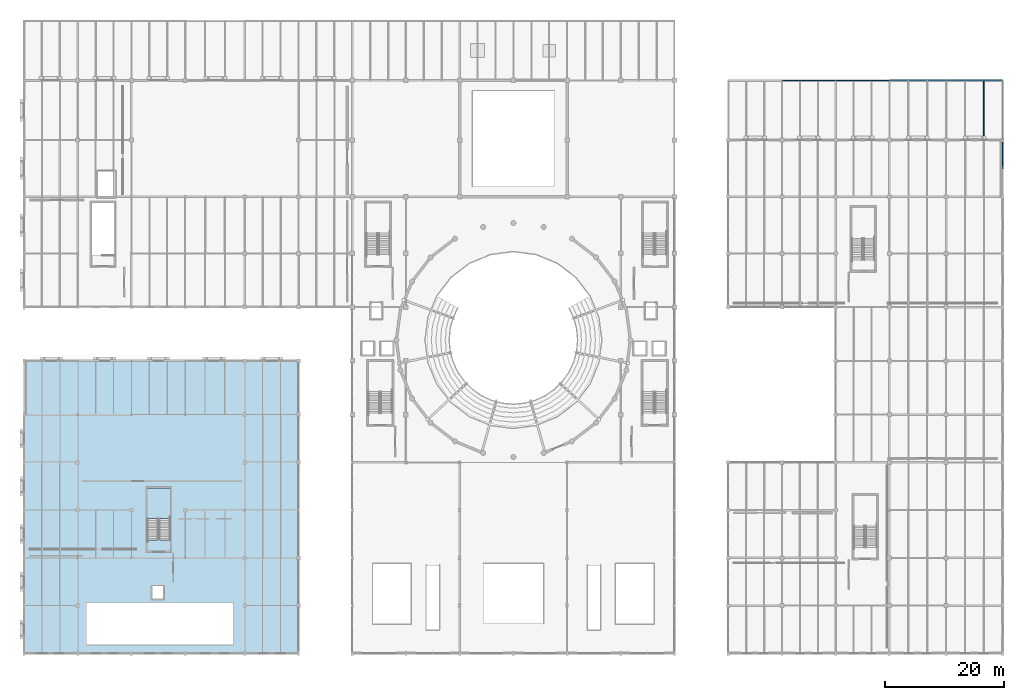
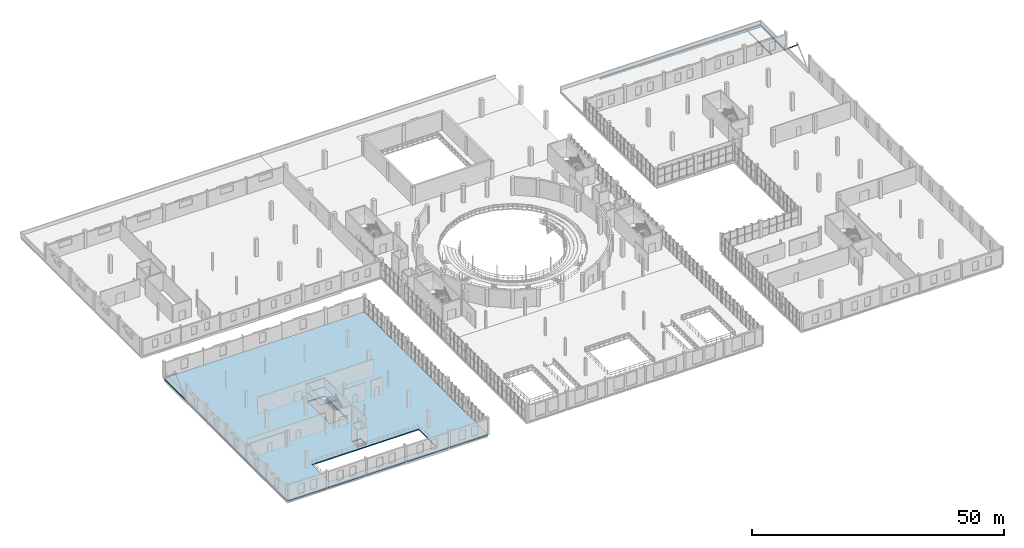
# One storey, part 49 of 85: 6 beams, 2 slabs, 1 member, 1 element without a shape of its own.
"""IFC4 building model written with IfcOpenShell, lengths in metres."""

from ifc_helpers import new_model, si_unit, direction, frame, origin, origin_2d, place, context, subcontext, project, spatial, polyline, hollow_circle, i_section, outline, extrude, material, layer, layer_set, material_profile, profile_set, type_object, element, aggregate, save


model = new_model("IFC4")

# Units and contexts
model_context = context("Model", 3, precision=1e-05, world=origin(), true_north=direction((0.0, 1.0)))
body_context = subcontext(model_context, "Body", "Model", "MODEL_VIEW")
ifc_project = project(units=[si_unit("LENGTHUNIT", "METRE"), si_unit("AREAUNIT", "SQUARE_METRE"), si_unit("VOLUMEUNIT", "CUBIC_METRE"), si_unit("PLANEANGLEUNIT", "RADIAN"), si_unit("MASSUNIT", "GRAM", prefix="KILO")], contexts=[model_context])

# Site, building, storey
site_placement = place(None, origin())
site = spatial("IfcSite", under=ifc_project, at=site_placement, CompositionType="ELEMENT")
building_placement = place(site_placement, origin())
building = spatial("IfcBuilding", under=site, at=building_placement, Name="Marnock Terrace Opera House", CompositionType="ELEMENT")
storey_placement = place(building_placement, frame((0.0, 0.0, 10.199951171875)))
storey = spatial("IfcBuildingStorey", under=building, at=storey_placement, Name="L02", CompositionType="ELEMENT", Elevation=10.199951171875)

# Beams
ifc_material_1 = material(Name="Steel Grade 350 (AS/NZS 3679.1)", Category="steel")
ifc_material_profile_1 = material_profile(ifc_material_1, i_section(OverallWidth=0.177978515625, OverallDepth=0.402587890625, WebThickness=0.007568359375, FlangeThickness=0.010986328125, FilletRadius=0.011474609375, at=origin_2d()))
ifc_profile_set_1 = profile_set([ifc_material_profile_1], Name="Steel Grade 350 (AS/NZS 3679.1)")
beam_type_1 = type_object("IfcBeamType", Name="BM-GIRD-410", PredefinedType="BEAM", material=ifc_profile_set_1)
beam_1_placement = place(storey_placement, frame((127.050048828125, 104.0, -0.421142578125), z_axis=(1.0, 0.0, 0.0), x_axis=(0.0, 1.0, 0.0)))
element("IfcBeam", 1, at=beam_1_placement, inside=storey, type_object=beam_type_1, Name="L02 girder (127.0..136.0, Y=104.0)", PredefinedType="BEAM", context=body_context, shape_type="SweptSolid", body=[
    extrude(i_section(OverallWidth=0.177978515625, OverallDepth=0.402587890625, WebThickness=0.007568359375, FlangeThickness=0.010986328125, FilletRadius=0.011474609375, at=origin_2d()), origin(), (0.0, 0.0, 1.0), 8.89990234375),
])
ifc_material_profile_2 = material_profile(ifc_material_1, i_section(OverallWidth=0.19091796875, OverallDepth=0.46044921875, WebThickness=0.010009765625, FlangeThickness=0.01611328125, FilletRadius=0.011474609375, at=origin_2d()))
ifc_profile_set_2 = profile_set([ifc_material_profile_2], Name="Steel Grade 350 (AS/NZS 3679.1)")
beam_type_2 = type_object("IfcBeamType", Name="BM-GIRD-460A", PredefinedType="BEAM", material=ifc_profile_set_2)
beam_2_placement = place(storey_placement, frame((136.050048828125, 104.0, -0.4501953125), z_axis=(1.0, 0.0, 0.0), x_axis=(0.0, 1.0, 0.0)))
element("IfcBeam", 2, at=beam_2_placement, inside=storey, type_object=beam_type_2, Name="L02 girder (136.0..145.0, Y=104.0)", PredefinedType="BEAM", context=body_context, shape_type="SweptSolid", body=[
    extrude(i_section(OverallWidth=0.19091796875, OverallDepth=0.46044921875, WebThickness=0.010009765625, FlangeThickness=0.01611328125, FilletRadius=0.011474609375, at=origin_2d()), origin(), (0.0, 0.0, 1.0), 8.89990234375),
])
ifc_material_profile_3 = material_profile(ifc_material_1, i_section(OverallWidth=0.208984375, OverallDepth=0.532958984375, WebThickness=0.01025390625, FlangeThickness=0.015625, FilletRadius=0.013916015625, at=origin_2d()))
ifc_profile_set_3 = profile_set([ifc_material_profile_3], Name="Steel Grade 350 (AS/NZS 3679.1)")
beam_type_3 = type_object("IfcBeamType", Name="BM-GIRD-530A", PredefinedType="BEAM", material=ifc_profile_set_3)
beam_3_placement = place(storey_placement, frame((145.050048828125, 104.0, -0.486572265625), z_axis=(1.0, 0.0, 0.0), x_axis=(0.0, 1.0, 0.0)))
element("IfcBeam", 3, at=beam_3_placement, inside=storey, type_object=beam_type_3, Name="L02 girder (145.0..154.5, Y=104.0)", PredefinedType="BEAM", context=body_context, shape_type="SweptSolid", body=[
    extrude(i_section(OverallWidth=0.208984375, OverallDepth=0.532958984375, WebThickness=0.01025390625, FlangeThickness=0.015625, FilletRadius=0.013916015625, at=origin_2d()), origin(), (0.0, 0.0, 1.0), 9.39990234375),
])
ifc_material_profile_4 = material_profile(ifc_material_1, i_section(OverallWidth=0.22802734375, OverallDepth=0.60693359375, WebThickness=0.01123046875, FlangeThickness=0.017333984375, FilletRadius=0.013916015625, at=origin_2d()))
ifc_profile_set_4 = profile_set([ifc_material_profile_4], Name="Steel Grade 350 (AS/NZS 3679.1)")
beam_type_4 = type_object("IfcBeamType", Name="BM-GIRD-610B", PredefinedType="BEAM", material=ifc_profile_set_4)
beam_4_placement = place(storey_placement, frame((154.550048828125, 104.0, -0.5234375), z_axis=(1.0, 0.0, 0.0), x_axis=(0.0, 1.0, 0.0)))
element("IfcBeam", 4, at=beam_4_placement, inside=storey, type_object=beam_type_4, Name="L02 girder (154.5..164.0, Y=104.0)", PredefinedType="BEAM", context=body_context, shape_type="SweptSolid", body=[
    extrude(i_section(OverallWidth=0.22802734375, OverallDepth=0.60693359375, WebThickness=0.01123046875, FlangeThickness=0.017333984375, FilletRadius=0.013916015625, at=origin_2d()), origin(), (0.0, 0.0, 1.0), 9.39990234375),
])
ifc_material_profile_5 = material_profile(ifc_material_1, i_section(OverallWidth=0.1650390625, OverallDepth=0.3037109375, WebThickness=0.006103515625, FlangeThickness=0.01025390625, FilletRadius=0.011474609375, at=origin_2d()))
ifc_profile_set_5 = profile_set([ifc_material_profile_5], Name="Steel Grade 350 (AS/NZS 3679.1)")
beam_type_5 = type_object("IfcBeamType", Name="BM-JOIST-310B", PredefinedType="JOIST", material=ifc_profile_set_5)
beam_5_placement = place(storey_placement, frame((160.833251953125, 94.109619140625, -0.411865234375), z_axis=(0.0, 1.0, 0.0), x_axis=(-1.0, 0.0, 0.0)))
element("IfcBeam", 5, at=beam_5_placement, inside=storey, type_object=beam_type_5, Name="L02 secondary joist 17.11.2", PredefinedType="JOIST", context=body_context, shape_type="SweptSolid", body=[
    extrude(i_section(OverallWidth=0.1650390625, OverallDepth=0.3037109375, WebThickness=0.006103515625, FlangeThickness=0.01025390625, FilletRadius=0.011474609375, at=origin_2d()), origin(), (0.0, 0.0, 1.0), 9.781494140625),
])
ifc_material_profile_6 = material_profile(ifc_material_1, i_section(OverallWidth=0.172119140625, OverallDepth=0.358642578125, WebThickness=0.008056640625, FlangeThickness=0.012939453125, FilletRadius=0.011474609375, at=origin_2d()))
ifc_profile_set_6 = profile_set([ifc_material_profile_6], Name="Steel Grade 350 (AS/NZS 3679.1)")
beam_type_6 = type_object("IfcBeamType", Name="BM-SPAN-360", PredefinedType="SPANDREL", material=ifc_profile_set_6)
beam_6_placement = place(storey_placement, frame((164.0, 94.050048828125, -0.439208984375), z_axis=(0.0, 1.0, 0.0), x_axis=(-1.0, 0.0, 0.0)))
element("IfcBeam", 6, at=beam_6_placement, inside=storey, type_object=beam_type_6, Name="L02 girder (X=164.0, 94.0..104.0)", PredefinedType="SPANDREL", context=body_context, shape_type="SweptSolid", body=[
    extrude(i_section(OverallWidth=0.172119140625, OverallDepth=0.358642578125, WebThickness=0.008056640625, FlangeThickness=0.012939453125, FilletRadius=0.011474609375, at=origin_2d()), origin(), (0.0, 0.0, 1.0), 9.89990234375),
])

# Member
ifc_material_2 = material(Name="Cold-formed Steel Grade C350L0 (AS/NZS 1163)", Category="steel")
ifc_material_profile_7 = material_profile(ifc_material_2, hollow_circle(Radius=0.06982421875, WallThickness=0.00634765625, at=origin_2d()))
ifc_profile_set_7 = profile_set([ifc_material_profile_7], Name="Cold-formed Steel Grade C350L0 (AS/NZS 1163)")
member_type = type_object("IfcMemberType", Name="MEM-BRACE-CHS3", PredefinedType="BRACE", material=ifc_profile_set_7)
member_placement = place(storey_placement, frame((164.0, 93.85009765625, 0.0), z_axis=(0.0, -0.764390199529, 0.644753924271), x_axis=(1.0, 0.0, 0.0)))
element("IfcMember", 7, at=member_placement, inside=storey, type_object=member_type, Name="L02 chevron brace B", PredefinedType="BRACE", context=body_context, shape_type="SweptSolid", body=[
    extrude(hollow_circle(Radius=0.06982421875, WallThickness=0.00634765625, at=origin_2d()), origin(), (0.0, 0.0, 1.0), 6.01806640625),
])

# Slab
ifc_material_3 = material(Name="Concrete N40 (f'c = 40 MPa)", Category="concrete")
ifc_layer_1 = layer(ifc_material_3, 0.260009765625)
ifc_layer_set_1 = layer_set([ifc_layer_1], Name="Concrete N40 (f'c = 40 MPa)")
slab_type_1 = type_object("IfcSlabType", Name="SL-FLR-260", PredefinedType="FLOOR", material=ifc_layer_set_1)
slab_1_placement = place(storey_placement, frame((0.0, 0.0, -0.260009765625)))
element("IfcSlab", 8, at=slab_1_placement, inside=storey, type_object=slab_type_1, Name="L02 Chamber and Rehearsal Wing floor slab", PredefinedType="FLOOR", context=body_context, shape_type="SweptSolid", body=[
    extrude(outline(polyline([(0.0, 8.0), (46.0, 8.0), (46.0, 57.0), (0.0, 57.0), (0.0, 8.0)]), holes=[polyline([(24.52001953125, 26.9599609375), (24.52001953125, 35.719970703125), (20.639892578125, 35.719970703125), (20.639892578125, 26.9599609375), (24.52001953125, 26.9599609375)]), polyline([(21.3798828125, 17.080078125), (23.419921875, 17.080078125), (23.419921875, 19.320068359375), (21.3798828125, 19.320068359375), (21.3798828125, 17.080078125)]), polyline([(10.5, 9.5), (35.0, 9.5), (35.0, 16.39990234375), (10.5, 16.39990234375), (10.5, 9.5)])]), origin(), (0.0, 0.0, 1.0), 0.260009765625),
])

# Stair, slab
stair_type = type_object("IfcStairType", Name="ST-TYPE-2200", PredefinedType="HALF_TURN_STAIR", material=ifc_material_3)
stair_placement = place(storey_placement, origin())
stair = element("IfcStair", 9, at=stair_placement, inside=storey, type_object=stair_type, Name="L02 ST-05", PredefinedType="HALF_TURN_STAIR")
ifc_material_4 = material(Name="Concrete N32 (f'c = 32 MPa)", Category="concrete")
ifc_layer_2 = layer(ifc_material_4, 0.199951171875)
ifc_layer_set_2 = layer_set([ifc_layer_2], Name="Concrete N32 (f'c = 32 MPa)")
slab_type_2 = type_object("IfcSlabType", Name="SL-LAND-200", PredefinedType="LANDING", material=ifc_layer_set_2)
slab_2_placement = place(storey_placement, frame((0.0, 0.0, 2.050048828125)))
slab_2 = element("IfcSlab", 10, at=slab_2_placement, type_object=slab_type_2, Name="ST-05 landing 1", PredefinedType="LANDING", context=body_context, shape_type="SweptSolid", body=[
    extrude(outline(polyline([(24.52001953125, 30.56005859375), (24.52001953125, 35.719970703125), (20.639892578125, 35.719970703125), (20.639892578125, 30.56005859375), (24.52001953125, 30.56005859375)])), origin(), (0.0, 0.0, 1.0), 0.199951171875),
])
aggregate(stair, [slab_2])

save(model, "model.ifc")
